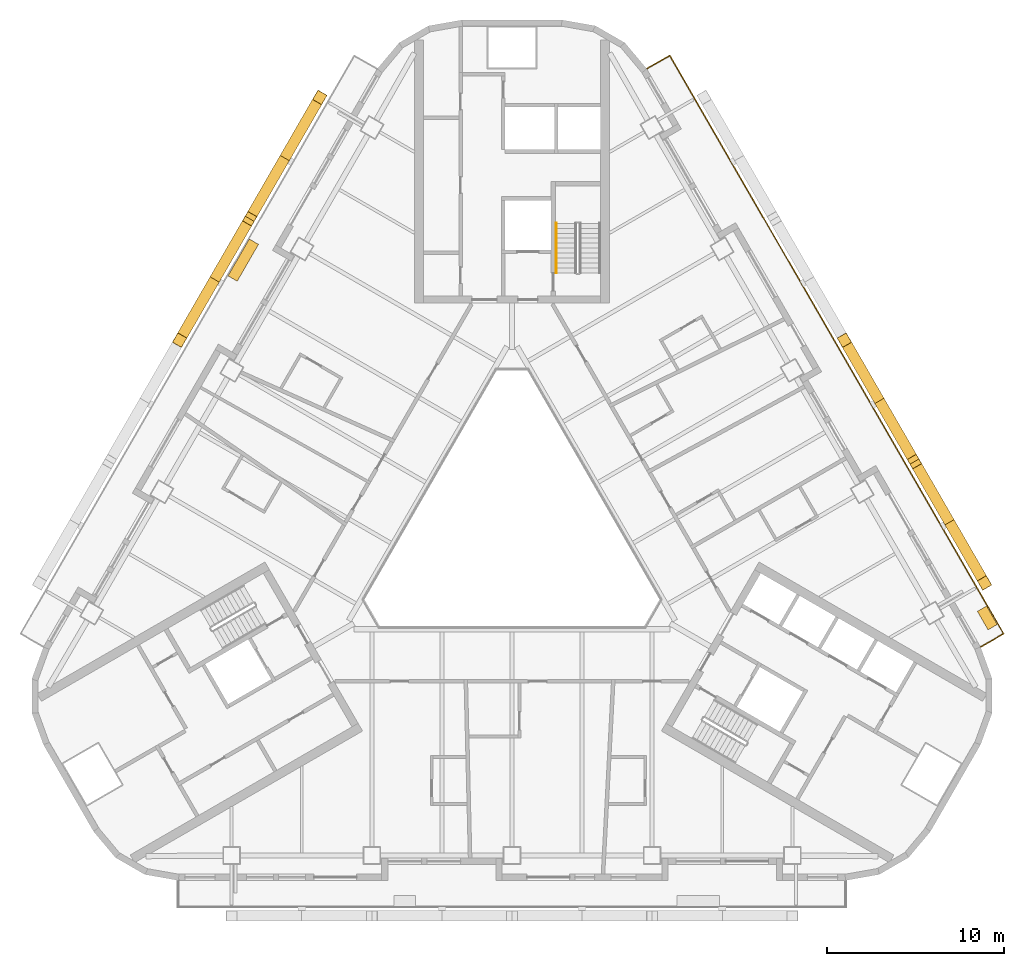
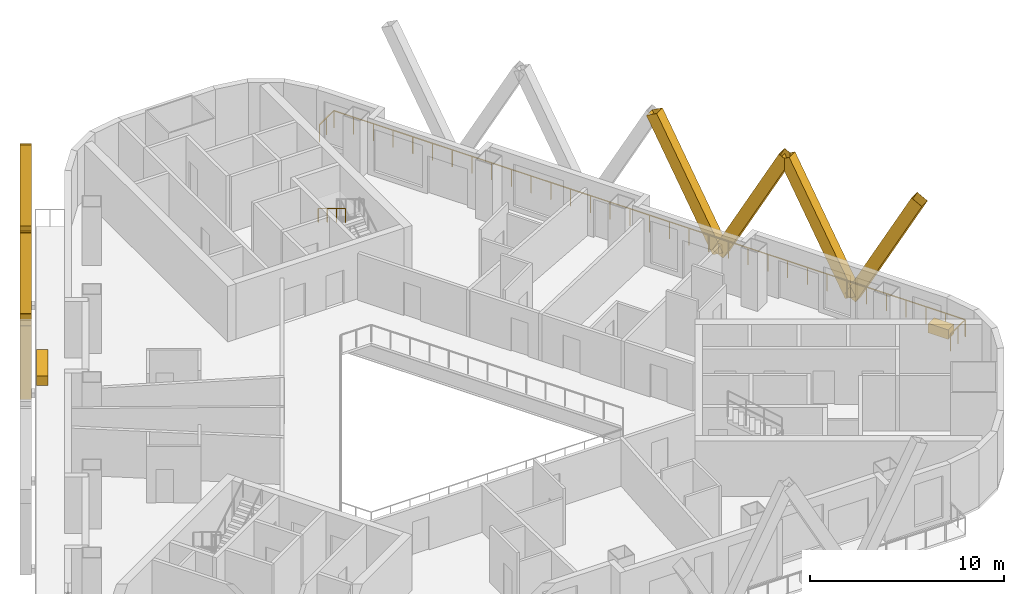
# One storey, part 12 of 13: 8 shading devices, 2 coverings, 2 railings.
"""IFC4 building model written with IfcOpenShell, lengths in metres."""

from ifc_helpers import new_model, si_unit, direction, frame, origin, origin_2d, place, context, subcontext, project, spatial, rectangle, hollow_rectangle, circle, extrude, material, material_profile, profile_set, type_object, element, save


model = new_model("IFC4")

# Units and contexts
model_context = context("Model", 3, precision=1e-05, world=origin(), true_north=direction((0.0, 1.0)))
body_context = subcontext(model_context, "Body", "Model", "MODEL_VIEW")
ifc_project = project(units=[si_unit("LENGTHUNIT", "METRE"), si_unit("AREAUNIT", "SQUARE_METRE"), si_unit("VOLUMEUNIT", "CUBIC_METRE"), si_unit("PLANEANGLEUNIT", "RADIAN"), si_unit("MASSUNIT", "GRAM", prefix="KILO")], contexts=[model_context])

# Site, building, storey
site_placement = place(None, origin())
site = spatial("IfcSite", under=ifc_project, at=site_placement, CompositionType="ELEMENT")
building_placement = place(site_placement, origin())
building = spatial("IfcBuilding", under=site, at=building_placement, Name="Apuvela Tower Hotel", CompositionType="ELEMENT")
storey_placement = place(building_placement, frame((0.0, 0.0, 83.5)))
storey = spatial("IfcBuildingStorey", under=building, at=storey_placement, Name="L18", CompositionType="ELEMENT", Elevation=83.5)

# Railing
ifc_material_1 = material(Name="Stainless steel 316 handrail", Category="steel")
railing_type_1 = type_object("IfcRailingType", Name="COR-HANDRAIL-900", PredefinedType="HANDRAIL", material=ifc_material_1)
railing_1_placement = place(storey_placement, frame((2.5, 17.39990234375, 2.01806640625)))
element("IfcRailing", 1, at=railing_1_placement, inside=storey, type_object=railing_type_1, Name="L18 ST1 stair handrail 2", PredefinedType="HANDRAIL", context=body_context, shape_type="SweptSolid", body=[
    extrude(circle(Radius=0.02392578125, at=origin_2d()), frame((0.0, 0.0, 0.8759765625), z_axis=(0.0, -0.857222391501, 0.514946377315), x_axis=(1.0, 0.0, 0.0)), (0.0, 0.0, 1.0), 3.26611328125),
    extrude(rectangle(XDim=0.0419921875, YDim=0.0419921875, at=origin_2d()), origin(), (0.0, 0.0, 1.0), 0.851806640625),
    extrude(rectangle(XDim=0.0419921875, YDim=0.0419921875, at=origin_2d()), frame((0.0, -0.933349609375, 0.560546875)), (0.0, 0.0, 1.0), 0.851806640625),
    extrude(rectangle(XDim=0.0419921875, YDim=0.0419921875, at=origin_2d()), frame((0.0, -1.866455078125, 1.121337890625)), (0.0, 0.0, 1.0), 0.851806640625),
    extrude(rectangle(XDim=0.0419921875, YDim=0.0419921875, at=origin_2d()), frame((0.0, -2.7998046875, 1.681884765625)), (0.0, 0.0, 1.0), 0.851806640625),
])

# Shading devices
ifc_material_2 = material(Name="Aluminium 6063-T6, black anodised", Category="aluminium")
ifc_material_profile = material_profile(ifc_material_2, hollow_rectangle(XDim=0.60009765625, YDim=0.699951171875, WallThickness=0.011962890625, at=origin_2d()), Name="AL BOX 700x600x12")
ifc_profile_set = profile_set([ifc_material_profile], Name="Aluminium 6063-T6, black anodised")
shading_device_type = type_object("IfcShadingDeviceType", Name="ENV-FIN-700x600", PredefinedType="USERDEFINED", material=ifc_profile_set)
for number, where, z_axis, x_axis, name in (
    (2, (24.656982421875, 0.552490234375, -0.10009765625), (0.235457834389, -0.407787356937, 0.88219560175), (0.866005453737, 0.500034552904, 0.0), "Lattice fin NE89"),
    (3, (24.656982421875, 0.552490234375, -0.10009765625), (-0.235427548578, 0.407814415956, 0.882191176281), (-0.866047669374, -0.499961432884, 0.0), "Lattice fin NE90"),
    (4, (20.70703125, 7.394287109375, -0.10009765625), (0.235455039791, -0.407811621453, 0.882185131163), (0.866020906874, 0.500007788796, 0.0), "Lattice fin NE91"),
):
    element("IfcShadingDevice", number, at=place(storey_placement, frame(where, z_axis=z_axis, x_axis=x_axis)), inside=storey, type_object=shading_device_type, Name=name, ObjectType="FIN", PredefinedType="USERDEFINED", context=body_context, shape_type="SweptSolid", body=[
        extrude(hollow_rectangle(XDim=0.60009765625, YDim=0.699951171875, WallThickness=0.011962890625, at=origin_2d()), origin(), (0.0, 0.0, 1.0), 8.388427734375),
    ])
shading_device_placement = place(storey_placement, frame((20.70703125, 7.394287109375, -0.10009765625), z_axis=(-0.235430342887, 0.407790151341, 0.882201647084), x_axis=(-0.866032218625, -0.499988196164, 0.0)))
element("IfcShadingDevice", 5, at=shading_device_placement, inside=storey, type_object=shading_device_type, Name="Lattice fin NE92", ObjectType="FIN", PredefinedType="USERDEFINED", context=body_context, shape_type="SweptSolid", body=[
    extrude(hollow_rectangle(XDim=0.60009765625, YDim=0.699951171875, WallThickness=0.011962890625, at=origin_2d()), origin(), (0.0, 0.0, 1.0), 8.38818359375),
])
for number, where, z_axis, x_axis, name in (
    (6, (-12.80712890625, 21.077392578125, -0.10009765625), (0.235455039791, 0.407811621453, 0.882185131163), (-0.866020906874, 0.500007788796, 0.0), "Lattice fin NW137"),
    (7, (-12.80712890625, 21.077392578125, -0.10009765625), (-0.235427548578, -0.407814415956, 0.882191176281), (0.866047669374, -0.499961432884, 0.0), "Lattice fin NW138"),
    (8, (-16.757080078125, 14.23583984375, -0.10009765625), (0.235457834389, 0.407787356937, 0.88219560175), (-0.866005453737, 0.500034552904, 0.0), "Lattice fin NW139"),
    (9, (-16.757080078125, 14.23583984375, -0.10009765625), (-0.235455039791, -0.407811621453, 0.882185131163), (0.866020906874, -0.500007788796, 0.0), "Lattice fin NW140"),
):
    element("IfcShadingDevice", number, at=place(storey_placement, frame(where, z_axis=z_axis, x_axis=x_axis)), inside=storey, type_object=shading_device_type, Name=name, ObjectType="FIN", PredefinedType="USERDEFINED", context=body_context, shape_type="SweptSolid", body=[
        extrude(hollow_rectangle(XDim=0.60009765625, YDim=0.699951171875, WallThickness=0.011962890625, at=origin_2d()), origin(), (0.0, 0.0, 1.0), 8.388427734375),
    ])

# Railing
ifc_material_3 = material(Name="Stainless steel 316 rail with laminated glass infill", Category="steel")
railing_type_2 = type_object("IfcRailingType", Name="ENV-GUARD-1100", PredefinedType="GUARDRAIL", material=ifc_material_3)
railing_2_placement = place(storey_placement, frame((26.407958984375, -6.47998046875, 0.0)))
element("IfcRailing", 10, at=railing_2_placement, inside=storey, type_object=railing_type_2, Name="Balcony guard NE L18", PredefinedType="GUARDRAIL", context=body_context, shape_type="SweptSolid", body=[
    extrude(rectangle(XDim=0.050048828125, YDim=0.050048828125, at=origin_2d()), frame((0.0, 0.0, 1.0751953125), z_axis=(0.866031096941, 0.499990139034, 0.0), x_axis=(-0.499990139034, 0.866031096941, 0.0)), (0.0, 0.0, 1.0), 1.5),
    extrude(rectangle(XDim=0.050048828125, YDim=0.050048828125, at=origin_2d()), frame((1.299072265625, 0.75, 1.0751953125), z_axis=(-0.500000437506, 0.86602515119, 0.0), x_axis=(-0.86602515119, -0.500000437506, 0.0)), (0.0, 0.0, 1.0), 37.6318359375),
    extrude(rectangle(XDim=0.050048828125, YDim=0.050048828125, at=origin_2d()), frame((-17.516845703125, 33.340087890625, 1.0751953125), z_axis=(-0.86599040064, -0.500060622324, 0.0), x_axis=(0.500060622324, -0.86599040064, 0.0)), (0.0, 0.0, 1.0), 1.499755859375),
    extrude(rectangle(XDim=0.0400390625, YDim=0.0400390625, at=origin_2d()), origin(), (0.0, 0.0, 1.0), 1.050048828125),
    extrude(rectangle(XDim=0.0400390625, YDim=0.0400390625, at=origin_2d()), frame((0.6494140625, 0.375, 0.0)), (0.0, 0.0, 1.0), 1.050048828125),
    extrude(rectangle(XDim=0.0400390625, YDim=0.0400390625, at=origin_2d()), frame((1.299072265625, 0.75, 0.0)), (0.0, 0.0, 1.0), 1.050048828125),
    extrude(rectangle(XDim=0.0400390625, YDim=0.0400390625, at=origin_2d()), frame((0.711181640625, 1.7685546875, 0.0)), (0.0, 0.0, 1.0), 1.050048828125),
    extrude(rectangle(XDim=0.0400390625, YDim=0.0400390625, at=origin_2d()), frame((0.123046875, 2.786865234375, 0.0)), (0.0, 0.0, 1.0), 1.050048828125),
    extrude(rectangle(XDim=0.0400390625, YDim=0.0400390625, at=origin_2d()), frame((-0.46484375, 3.805419921875, 0.0)), (0.0, 0.0, 1.0), 1.050048828125),
    extrude(rectangle(XDim=0.0400390625, YDim=0.0400390625, at=origin_2d()), frame((-1.052978515625, 4.82373046875, 0.0)), (0.0, 0.0, 1.0), 1.050048828125),
    extrude(rectangle(XDim=0.0400390625, YDim=0.0400390625, at=origin_2d()), frame((-1.640869140625, 5.84228515625, 0.0)), (0.0, 0.0, 1.0), 1.050048828125),
    extrude(rectangle(XDim=0.0400390625, YDim=0.0400390625, at=origin_2d()), frame((-2.22900390625, 6.860595703125, 0.0)), (0.0, 0.0, 1.0), 1.050048828125),
    extrude(rectangle(XDim=0.0400390625, YDim=0.0400390625, at=origin_2d()), frame((-2.81689453125, 7.879150390625, 0.0)), (0.0, 0.0, 1.0), 1.050048828125),
    extrude(rectangle(XDim=0.0400390625, YDim=0.0400390625, at=origin_2d()), frame((-3.40478515625, 8.8974609375, 0.0)), (0.0, 0.0, 1.0), 1.050048828125),
    extrude(rectangle(XDim=0.0400390625, YDim=0.0400390625, at=origin_2d()), frame((-3.992919921875, 9.916015625, 0.0)), (0.0, 0.0, 1.0), 1.050048828125),
    extrude(rectangle(XDim=0.0400390625, YDim=0.0400390625, at=origin_2d()), frame((-4.580810546875, 10.934326171875, 0.0)), (0.0, 0.0, 1.0), 1.050048828125),
    extrude(rectangle(XDim=0.0400390625, YDim=0.0400390625, at=origin_2d()), frame((-5.1689453125, 11.952880859375, 0.0)), (0.0, 0.0, 1.0), 1.050048828125),
    extrude(rectangle(XDim=0.0400390625, YDim=0.0400390625, at=origin_2d()), frame((-5.7568359375, 12.97119140625, 0.0)), (0.0, 0.0, 1.0), 1.050048828125),
    extrude(rectangle(XDim=0.0400390625, YDim=0.0400390625, at=origin_2d()), frame((-6.344970703125, 13.98974609375, 0.0)), (0.0, 0.0, 1.0), 1.050048828125),
    extrude(rectangle(XDim=0.0400390625, YDim=0.0400390625, at=origin_2d()), frame((-6.932861328125, 15.008056640625, 0.0)), (0.0, 0.0, 1.0), 1.050048828125),
    extrude(rectangle(XDim=0.0400390625, YDim=0.0400390625, at=origin_2d()), frame((-7.52099609375, 16.026611328125, 0.0)), (0.0, 0.0, 1.0), 1.050048828125),
    extrude(rectangle(XDim=0.0400390625, YDim=0.0400390625, at=origin_2d()), frame((-8.10888671875, 17.044921875, 0.0)), (0.0, 0.0, 1.0), 1.050048828125),
    extrude(rectangle(XDim=0.0400390625, YDim=0.0400390625, at=origin_2d()), frame((-8.69677734375, 18.0634765625, 0.0)), (0.0, 0.0, 1.0), 1.050048828125),
    extrude(rectangle(XDim=0.0400390625, YDim=0.0400390625, at=origin_2d()), frame((-9.284912109375, 19.08203125, 0.0)), (0.0, 0.0, 1.0), 1.050048828125),
    extrude(rectangle(XDim=0.0400390625, YDim=0.0400390625, at=origin_2d()), frame((-9.872802734375, 20.100341796875, 0.0)), (0.0, 0.0, 1.0), 1.050048828125),
    extrude(rectangle(XDim=0.0400390625, YDim=0.0400390625, at=origin_2d()), frame((-10.4609375, 21.118896484375, 0.0)), (0.0, 0.0, 1.0), 1.050048828125),
    extrude(rectangle(XDim=0.0400390625, YDim=0.0400390625, at=origin_2d()), frame((-11.048828125, 22.13720703125, 0.0)), (0.0, 0.0, 1.0), 1.050048828125),
    extrude(rectangle(XDim=0.0400390625, YDim=0.0400390625, at=origin_2d()), frame((-11.636962890625, 23.15576171875, 0.0)), (0.0, 0.0, 1.0), 1.050048828125),
    extrude(rectangle(XDim=0.0400390625, YDim=0.0400390625, at=origin_2d()), frame((-12.224853515625, 24.174072265625, 0.0)), (0.0, 0.0, 1.0), 1.050048828125),
    extrude(rectangle(XDim=0.0400390625, YDim=0.0400390625, at=origin_2d()), frame((-12.81298828125, 25.192626953125, 0.0)), (0.0, 0.0, 1.0), 1.050048828125),
    extrude(rectangle(XDim=0.0400390625, YDim=0.0400390625, at=origin_2d()), frame((-13.40087890625, 26.2109375, 0.0)), (0.0, 0.0, 1.0), 1.050048828125),
    extrude(rectangle(XDim=0.0400390625, YDim=0.0400390625, at=origin_2d()), frame((-13.98876953125, 27.2294921875, 0.0)), (0.0, 0.0, 1.0), 1.050048828125),
    extrude(rectangle(XDim=0.0400390625, YDim=0.0400390625, at=origin_2d()), frame((-14.576904296875, 28.247802734375, 0.0)), (0.0, 0.0, 1.0), 1.050048828125),
    extrude(rectangle(XDim=0.0400390625, YDim=0.0400390625, at=origin_2d()), frame((-15.164794921875, 29.266357421875, 0.0)), (0.0, 0.0, 1.0), 1.050048828125),
    extrude(rectangle(XDim=0.0400390625, YDim=0.0400390625, at=origin_2d()), frame((-15.7529296875, 30.28466796875, 0.0)), (0.0, 0.0, 1.0), 1.050048828125),
    extrude(rectangle(XDim=0.0400390625, YDim=0.0400390625, at=origin_2d()), frame((-16.3408203125, 31.30322265625, 0.0)), (0.0, 0.0, 1.0), 1.050048828125),
    extrude(rectangle(XDim=0.0400390625, YDim=0.0400390625, at=origin_2d()), frame((-16.928955078125, 32.321533203125, 0.0)), (0.0, 0.0, 1.0), 1.050048828125),
    extrude(rectangle(XDim=0.0400390625, YDim=0.0400390625, at=origin_2d()), frame((-17.516845703125, 33.340087890625, 0.0)), (0.0, 0.0, 1.0), 1.050048828125),
    extrude(rectangle(XDim=0.0400390625, YDim=0.0400390625, at=origin_2d()), frame((-18.166259765625, 32.965087890625, 0.0)), (0.0, 0.0, 1.0), 1.050048828125),
    extrude(rectangle(XDim=0.0400390625, YDim=0.0400390625, at=origin_2d()), frame((-18.815673828125, 32.590087890625, 0.0)), (0.0, 0.0, 1.0), 1.050048828125),
])

# Coverings
ifc_material_4 = material(Name="Planting substrate and soil, planted")
covering_type_1 = type_object("IfcCoveringType", Name="ENV-PLANTER-1200x600", PredefinedType="USERDEFINED", material=ifc_material_4)
covering_1_placement = place(storey_placement, frame((26.788818359375, -4.839599609375, 0.0), z_axis=(0.0, 0.0, 1.0), x_axis=(-0.5, 0.866025403784, 0.0)))
element("IfcCovering", 11, at=covering_1_placement, inside=storey, type_object=covering_type_1, Name="Planter NE3", ObjectType="PLANTER", PredefinedType="USERDEFINED", context=body_context, shape_type="SweptSolid", body=[
    extrude(rectangle(XDim=1.199951171875, YDim=0.60009765625, at=origin_2d()), origin(), (0.0, 0.0, 1.0), 0.60009765625),
])
covering_type_2 = type_object("IfcCoveringType", Name="ENV-PLANTER-2400x600", PredefinedType="USERDEFINED", material=ifc_material_4)
covering_2_placement = place(storey_placement, frame((-15.14599609375, 15.326416015625, 0.0), z_axis=(0.0, 0.0, 1.0), x_axis=(-0.5, -0.866025403784, 0.0)))
element("IfcCovering", 12, at=covering_2_placement, inside=storey, type_object=covering_type_2, Name="Planter NW4", ObjectType="PLANTER", PredefinedType="USERDEFINED", context=body_context, shape_type="SweptSolid", body=[
    extrude(rectangle(XDim=2.39990234375, YDim=0.60009765625, at=origin_2d()), origin(), (0.0, 0.0, 1.0), 0.60009765625),
])

save(model, "model.ifc")
